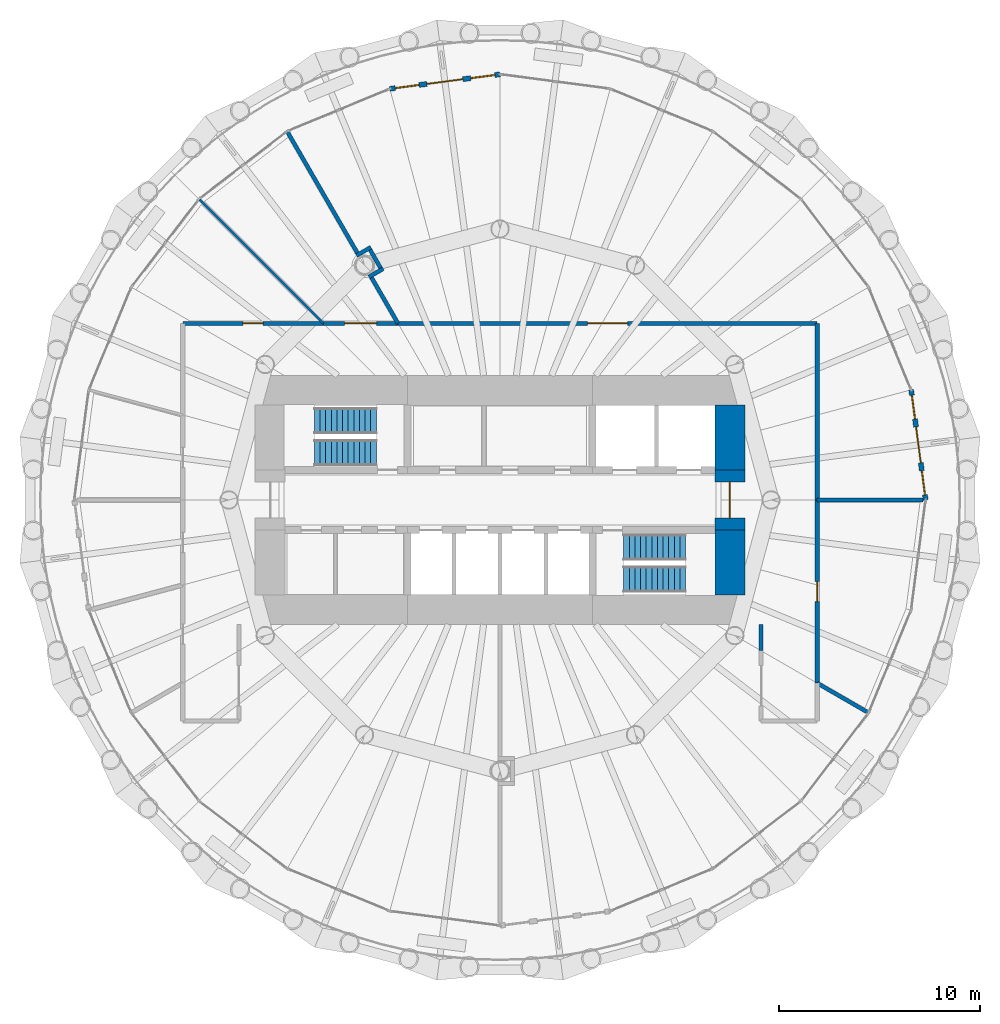
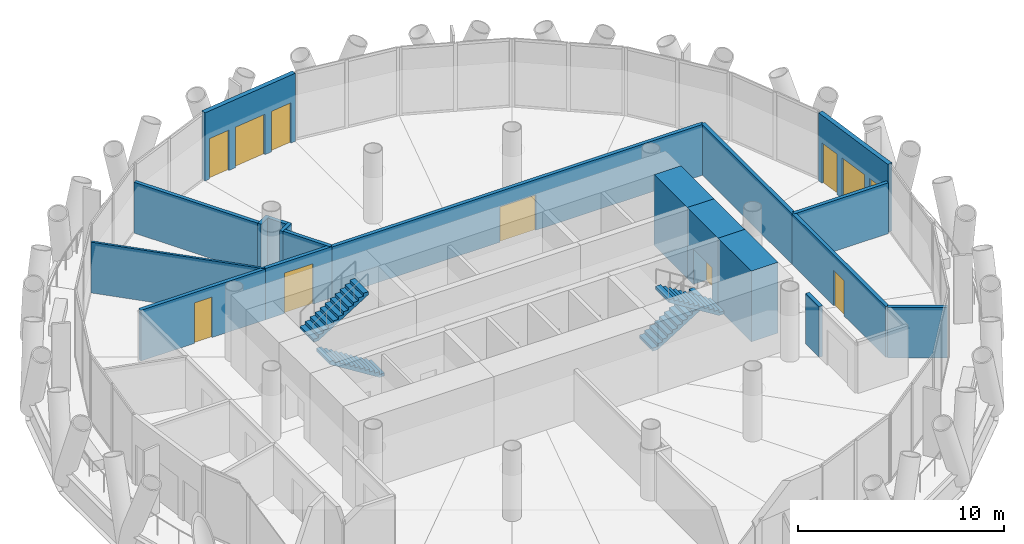
# One storey, part 11 of 14: 19 walls, 7 doors, 4 stair flights, 4 windows, 11 openings, 2 elements without a shape of their own.
"""IFC4 building model written with IfcOpenShell, lengths in metres."""

from ifc_helpers import new_model, si_unit, direction, frame, frame_2d, origin, place, context, subcontext, project, spatial, polyline, rectangle, outline, extrude, material, layer, layer_set, type_object, element, fill, aggregate, save


model = new_model("IFC4")

# Units and contexts
model_context = context("Model", 3, precision=1e-05, world=origin(), true_north=direction((0.0, 1.0)))
body_context = subcontext(model_context, "Body", "Model", "MODEL_VIEW")
ifc_project = project(units=[si_unit("LENGTHUNIT", "METRE"), si_unit("AREAUNIT", "SQUARE_METRE"), si_unit("VOLUMEUNIT", "CUBIC_METRE"), si_unit("PLANEANGLEUNIT", "RADIAN"), si_unit("MASSUNIT", "GRAM", prefix="KILO")], contexts=[model_context])

# Site, building, storey
site_placement = place(None, origin())
site = spatial("IfcSite", under=ifc_project, at=site_placement, CompositionType="ELEMENT")
building_placement = place(site_placement, origin())
building = spatial("IfcBuilding", under=site, at=building_placement, Name="Qaws Media Tower", CompositionType="ELEMENT")
storey_placement = place(building_placement, frame((0.0, 0.0, 202.39990234375)))
storey = spatial("IfcBuildingStorey", under=building, at=storey_placement, Name="L46", CompositionType="ELEMENT", Elevation=202.39990234375)

# Wall, openings, door, windows
ifc_material_1 = material(Name="Precast concrete, exposed finish", Category="concrete")
ifc_layer_1 = layer(ifc_material_1, 0.25)
ifc_layer_set_1 = layer_set([ifc_layer_1], Name="Balcony door wall 250")
wall_type_1 = type_object("IfcWallType", Name="Balcony door wall 250", PredefinedType="SOLIDWALL", material=ifc_layer_set_1)
wall_1_placement = place(storey_placement, frame((81.199951171875, 50.0, 0.0), z_axis=(0.0, 0.0, 1.0), x_axis=(-0.130530967061, 0.991444232742, 0.0)))
wall_1 = element("IfcWall", 1, at=wall_1_placement, inside=storey, type_object=wall_type_1, Name="W116 EW1 balcony door wall L46-01", PredefinedType="SOLIDWALL", context=body_context, shape_type="SweptSolid", body=[
    extrude(rectangle(XDim=5.534423828125, YDim=0.25, at=frame_2d((2.76708984375, 0.0))), origin(), (0.0, 0.0, 1.0), 4.0400390625),
])
opening_1_placement = place(wall_1_placement, frame((1.8671875, 0.0, 0.0)))
opening_1 = element("IfcOpeningElement", 2, at=opening_1_placement, cuts=wall_1, Name="Opening D7", PredefinedType="OPENING", context=body_context, shape_type="SweptSolid", body=[
    extrude(rectangle(XDim=1.800048828125, YDim=2.39990234375, at=frame_2d((0.89990234375, 1.199951171875))), frame((0.0, 0.135009765625, 0.0), z_axis=(0.0, -1.0, 0.0), x_axis=(1.0, 0.0, 0.0)), (0.0, 0.0, 1.0), 0.27001953125),
])
opening_2_placement = place(wall_1_placement, frame((0.26708984375, 0.0, 0.0)))
opening_2 = element("IfcOpeningElement", 3, at=opening_2_placement, cuts=wall_1, Name="Opening W1", PredefinedType="OPENING", context=body_context, shape_type="SweptSolid", body=[
    extrude(rectangle(XDim=1.199951171875, YDim=2.39990234375, at=frame_2d((0.60009765625, 1.199951171875))), frame((0.0, 0.135009765625, 0.0), z_axis=(0.0, -1.0, 0.0), x_axis=(1.0, 0.0, 0.0)), (0.0, 0.0, 1.0), 0.27001953125),
])
opening_3_placement = place(wall_1_placement, frame((4.067138671875, 0.0, 0.0)))
opening_3 = element("IfcOpeningElement", 4, at=opening_3_placement, cuts=wall_1, Name="Opening W1", PredefinedType="OPENING", context=body_context, shape_type="SweptSolid", body=[
    extrude(rectangle(XDim=1.199951171875, YDim=2.39990234375, at=frame_2d((0.60009765625, 1.199951171875))), frame((0.0, 0.135009765625, 0.0), z_axis=(0.0, -1.0, 0.0), x_axis=(1.0, 0.0, 0.0)), (0.0, 0.0, 1.0), 0.27001953125),
])
ifc_material_2 = material(Name="Aluminium and clear glass", Category="aluminium")
door_type_1 = type_object("IfcDoorType", Name="Balcony door pair 1800", OperationType="DOUBLE_DOOR_SLIDING", PredefinedType="DOOR", material=ifc_material_2)
door_1_placement = place(opening_1_placement, origin())
door_1 = element("IfcDoor", 5, at=door_1_placement, inside=storey, type_object=door_type_1, Name="D7 balcony door L46-01 in wall W116", OperationType="DOUBLE_DOOR_SLIDING", OverallHeight=2.39990234375, OverallWidth=1.800048828125, PredefinedType="DOOR", context=body_context, shape_type="SweptSolid", body=[
    extrude(rectangle(XDim=1.800048828125, YDim=2.39990234375, at=frame_2d((0.89990234375, 1.199951171875))), frame((0.0, 0.02490234375, 0.0), z_axis=(0.0, -1.0, 0.0), x_axis=(1.0, 0.0, 0.0)), (0.0, 0.0, 1.0), 0.050048828125),
])
fill(opening_1, door_1)
ifc_material_3 = material(Name="Aluminium and clear glass", Category="aluminium")
window_type = type_object("IfcWindowType", Name="Balcony side window 1200", PartitioningType="SINGLE_PANEL", PredefinedType="WINDOW", material=ifc_material_3)
window_1_placement = place(opening_2_placement, origin())
window_1 = element("IfcWindow", 6, at=window_1_placement, inside=storey, type_object=window_type, Name="W1 balcony side light L46-01L", OverallHeight=2.39990234375, OverallWidth=1.199951171875, PartitioningType="SINGLE_PANEL", PredefinedType="WINDOW", context=body_context, shape_type="SweptSolid", body=[
    extrude(rectangle(XDim=1.199951171875, YDim=2.39990234375, at=frame_2d((0.60009765625, 1.199951171875))), frame((0.0, 0.030029296875, 0.0), z_axis=(0.0, -1.0, 0.0), x_axis=(1.0, 0.0, 0.0)), (0.0, 0.0, 1.0), 0.06005859375),
])
fill(opening_2, window_1)
window_2_placement = place(opening_3_placement, origin())
window_2 = element("IfcWindow", 7, at=window_2_placement, inside=storey, type_object=window_type, Name="W1 balcony side light L46-01R", OverallHeight=2.39990234375, OverallWidth=1.199951171875, PartitioningType="SINGLE_PANEL", PredefinedType="WINDOW", context=body_context, shape_type="SweptSolid", body=[
    extrude(rectangle(XDim=1.199951171875, YDim=2.39990234375, at=frame_2d((0.60009765625, 1.199951171875))), frame((0.0, 0.030029296875, 0.0), z_axis=(0.0, -1.0, 0.0), x_axis=(1.0, 0.0, 0.0)), (0.0, 0.0, 1.0), 0.06005859375),
])
fill(opening_3, window_2)

wall_2_placement = place(storey_placement, frame((60.0, 71.199951171875, 0.0), z_axis=(0.0, 0.0, 1.0), x_axis=(-0.991444232742, -0.130530967061, 0.0)))
wall_2 = element("IfcWall", 8, at=wall_2_placement, inside=storey, type_object=wall_type_1, Name="W115 EW1 balcony door wall L46-07", PredefinedType="SOLIDWALL", context=body_context, shape_type="SweptSolid", body=[
    extrude(rectangle(XDim=5.534423828125, YDim=0.25, at=frame_2d((2.76708984375, 0.0))), origin(), (0.0, 0.0, 1.0), 4.0400390625),
])
opening_4_placement = place(wall_2_placement, frame((1.8671875, 0.0, 0.0)))
opening_4 = element("IfcOpeningElement", 9, at=opening_4_placement, cuts=wall_2, Name="Opening D7", PredefinedType="OPENING", context=body_context, shape_type="SweptSolid", body=[
    extrude(rectangle(XDim=1.800048828125, YDim=2.39990234375, at=frame_2d((0.89990234375, 1.199951171875))), frame((0.0, 0.135009765625, 0.0), z_axis=(0.0, -1.0, 0.0), x_axis=(1.0, 0.0, 0.0)), (0.0, 0.0, 1.0), 0.27001953125),
])
opening_5_placement = place(wall_2_placement, frame((0.26708984375, 0.0, 0.0)))
opening_5 = element("IfcOpeningElement", 10, at=opening_5_placement, cuts=wall_2, Name="Opening W1", PredefinedType="OPENING", context=body_context, shape_type="SweptSolid", body=[
    extrude(rectangle(XDim=1.199951171875, YDim=2.39990234375, at=frame_2d((0.60009765625, 1.199951171875))), frame((0.0, 0.135009765625, 0.0), z_axis=(0.0, -1.0, 0.0), x_axis=(1.0, 0.0, 0.0)), (0.0, 0.0, 1.0), 0.27001953125),
])
opening_6_placement = place(wall_2_placement, frame((4.067138671875, 0.0, 0.0)))
opening_6 = element("IfcOpeningElement", 11, at=opening_6_placement, cuts=wall_2, Name="Opening W1", PredefinedType="OPENING", context=body_context, shape_type="SweptSolid", body=[
    extrude(rectangle(XDim=1.199951171875, YDim=2.39990234375, at=frame_2d((0.60009765625, 1.199951171875))), frame((0.0, 0.135009765625, 0.0), z_axis=(0.0, -1.0, 0.0), x_axis=(1.0, 0.0, 0.0)), (0.0, 0.0, 1.0), 0.27001953125),
])
door_2_placement = place(opening_4_placement, origin())
door_2 = element("IfcDoor", 12, at=door_2_placement, inside=storey, type_object=door_type_1, Name="D7 balcony door L46-07 in wall W115", OperationType="DOUBLE_DOOR_SLIDING", OverallHeight=2.39990234375, OverallWidth=1.800048828125, PredefinedType="DOOR", context=body_context, shape_type="SweptSolid", body=[
    extrude(rectangle(XDim=1.800048828125, YDim=2.39990234375, at=frame_2d((0.89990234375, 1.199951171875))), frame((0.0, 0.02490234375, 0.0), z_axis=(0.0, -1.0, 0.0), x_axis=(1.0, 0.0, 0.0)), (0.0, 0.0, 1.0), 0.050048828125),
])
fill(opening_4, door_2)
window_3_placement = place(opening_5_placement, origin())
window_3 = element("IfcWindow", 13, at=window_3_placement, inside=storey, type_object=window_type, Name="W1 balcony side light L46-07L", OverallHeight=2.39990234375, OverallWidth=1.199951171875, PartitioningType="SINGLE_PANEL", PredefinedType="WINDOW", context=body_context, shape_type="SweptSolid", body=[
    extrude(rectangle(XDim=1.199951171875, YDim=2.39990234375, at=frame_2d((0.60009765625, 1.199951171875))), frame((0.0, 0.030029296875, 0.0), z_axis=(0.0, -1.0, 0.0), x_axis=(1.0, 0.0, 0.0)), (0.0, 0.0, 1.0), 0.06005859375),
])
fill(opening_5, window_3)
window_4_placement = place(opening_6_placement, origin())
window_4 = element("IfcWindow", 14, at=window_4_placement, inside=storey, type_object=window_type, Name="W1 balcony side light L46-07R", OverallHeight=2.39990234375, OverallWidth=1.199951171875, PartitioningType="SINGLE_PANEL", PredefinedType="WINDOW", context=body_context, shape_type="SweptSolid", body=[
    extrude(rectangle(XDim=1.199951171875, YDim=2.39990234375, at=frame_2d((0.60009765625, 1.199951171875))), frame((0.0, 0.030029296875, 0.0), z_axis=(0.0, -1.0, 0.0), x_axis=(1.0, 0.0, 0.0)), (0.0, 0.0, 1.0), 0.06005859375),
])
fill(opening_6, window_4)

# Wall
ifc_material_4 = material(Name="Concrete C60/75", Category="concrete")
ifc_layer_2 = layer(ifc_material_4, 1.5)
ifc_layer_set_2 = layer_set([ifc_layer_2], Name="Core wall 1500")
wall_type_2 = type_object("IfcWallType", Name="Core wall 1500", PredefinedType="SHEAR", material=ifc_layer_set_2)
wall_3_placement = place(storey_placement, frame((71.449951171875, 45.280029296875, 0.0), z_axis=(0.0, 0.0, 1.0), x_axis=(0.0, 1.0, 0.0)))
element("IfcWall", 15, at=wall_3_placement, inside=storey, type_object=wall_type_2, Name="W383 SW13 core wall ES L46", PredefinedType="SHEAR", context=body_context, shape_type="SweptSolid", body=[
    extrude(rectangle(XDim=3.219970703125, YDim=1.5, at=frame_2d((1.60986328125, 0.0))), origin(), (0.0, 0.0, 1.0), 4.2001953125),
])

# Wall, opening, door
wall_4_placement = place(storey_placement, frame((71.449951171875, 48.5, 0.0), z_axis=(0.0, 0.0, 1.0), x_axis=(0.0, 1.0, 0.0)))
wall_4 = element("IfcWall", 16, at=wall_4_placement, inside=storey, type_object=wall_type_2, Name="W384 SW13 core wall E L46", PredefinedType="SHEAR", context=body_context, shape_type="SweptSolid", body=[
    extrude(rectangle(XDim=3.0, YDim=1.5, at=frame_2d((1.5, 0.0))), origin(), (0.0, 0.0, 1.0), 4.2001953125),
])
opening_7_placement = place(wall_4_placement, frame((0.60009765625, 0.0, 0.0)))
opening_7 = element("IfcOpeningElement", 17, at=opening_7_placement, cuts=wall_4, Name="Opening D2", PredefinedType="OPENING", context=body_context, shape_type="SweptSolid", body=[
    extrude(rectangle(XDim=1.800048828125, YDim=2.10009765625, at=frame_2d((0.89990234375, 1.050048828125))), frame((0.0, 0.760009765625, 0.0), z_axis=(0.0, -1.0, 0.0), x_axis=(1.0, 0.0, 0.0)), (0.0, 0.0, 1.0), 1.52001953125),
])
ifc_material_5 = material(Name="Steel and glass, fire rated", Category="steel")
door_type_2 = type_object("IfcDoorType", Name="Lobby door pair 1800 FD60", OperationType="DOUBLE_DOOR_DOUBLE_SWING", PredefinedType="DOOR", material=ifc_material_5)
door_3_placement = place(opening_7_placement, origin())
door_3 = element("IfcDoor", 18, at=door_3_placement, inside=storey, type_object=door_type_2, Name="D2 core lobby door E L46 in wall W384", OperationType="DOUBLE_DOOR_DOUBLE_SWING", OverallHeight=2.10009765625, OverallWidth=1.800048828125, PredefinedType="DOOR", context=body_context, shape_type="SweptSolid", body=[
    extrude(rectangle(XDim=1.800048828125, YDim=2.10009765625, at=frame_2d((0.89990234375, 1.050048828125))), frame((0.0, 0.02490234375, 0.0), z_axis=(0.0, -1.0, 0.0), x_axis=(1.0, 0.0, 0.0)), (0.0, 0.0, 1.0), 0.050048828125),
])
fill(opening_7, door_3)

# Walls
wall_5_placement = place(storey_placement, frame((71.449951171875, 51.5, 0.0), z_axis=(0.0, 0.0, 1.0), x_axis=(0.0, 1.0, 0.0)))
element("IfcWall", 19, at=wall_5_placement, inside=storey, type_object=wall_type_2, Name="W385 SW13 core wall EN L46", PredefinedType="SHEAR", context=body_context, shape_type="SweptSolid", body=[
    extrude(rectangle(XDim=3.219970703125, YDim=1.5, at=frame_2d((1.60986328125, 0.0))), origin(), (0.0, 0.0, 1.0), 4.2001953125),
])
ifc_material_6 = material(Name="Two layers gypsum board each side on 75 studs, insulated", Category="gypsum")
ifc_layer_3 = layer(ifc_material_6, 0.125)
ifc_layer_set_3 = layer_set([ifc_layer_3], Name="Meeting room partition 125 Rw 48")
wall_type_3 = type_object("IfcWallType", Name="Meeting room partition 125 Rw 48", PredefinedType="PARTITIONING", material=ifc_layer_set_3)
wall_6_placement = place(storey_placement, frame((51.20361328125, 58.79638671875, 0.0), z_axis=(0.0, 0.0, 1.0), x_axis=(-0.707106781187, 0.707106781187, 0.0)))
element("IfcWall", 20, at=wall_6_placement, inside=storey, type_object=wall_type_3, Name="W596 IW5 partition L46", PredefinedType="PARTITIONING", context=body_context, shape_type="SweptSolid", body=[
    extrude(rectangle(XDim=8.719970703125, YDim=0.125, at=frame_2d((4.35986328125, 0.0))), origin(), (0.0, 0.0, 1.0), 3.01220703125),
])

# Wall, opening, door
ifc_material_7 = material(Name="Gypsum board on galvanised metal studs, acoustic double stud, deflection head", Category="gypsum")
ifc_layer_4 = layer(ifc_material_7, 0.199951171875)
ifc_layer_set_4 = layer_set([ifc_layer_4], Name="Room partition 200")
wall_type_4 = type_object("IfcWallType", Name="Room partition 200", PredefinedType="PARTITIONING", material=ifc_layer_set_4)
wall_7_placement = place(storey_placement, frame((44.199951171875, 58.800048828125, 0.0), z_axis=(0.0, 0.0, 1.0), x_axis=(1.0, 0.0, 0.0)))
wall_7 = element("IfcWall", 21, at=wall_7_placement, inside=storey, type_object=wall_type_4, Name="W1526 IW3 partition L46", PredefinedType="PARTITIONING", context=body_context, shape_type="SweptSolid", body=[
    extrude(rectangle(XDim=7.0, YDim=0.199951171875, at=frame_2d((3.5, 0.0))), origin(), (0.0, 0.0, 1.0), 3.01220703125),
])
opening_8_placement = place(wall_7_placement, frame((3.0, 0.0, 0.0)))
opening_8 = element("IfcOpeningElement", 22, at=opening_8_placement, cuts=wall_7, Name="Opening D13", PredefinedType="OPENING", context=body_context, shape_type="SweptSolid", body=[
    extrude(rectangle(XDim=1.0, YDim=2.39990234375, at=frame_2d((0.5, 1.199951171875))), frame((0.0, 0.10986328125, 0.0), z_axis=(0.0, -1.0, 0.0), x_axis=(1.0, 0.0, 0.0)), (0.0, 0.0, 1.0), 0.219970703125),
])
ifc_material_8 = material(Name="Frameless toughened glass, acoustic seals", Category="glass")
door_type_3 = type_object("IfcDoorType", Name="Glazed meeting room door 1000x2400", OperationType="SINGLE_SWING_LEFT", PredefinedType="DOOR", material=ifc_material_8)
door_4_placement = place(opening_8_placement, origin())
door_4 = element("IfcDoor", 23, at=door_4_placement, inside=storey, type_object=door_type_3, Name="D13 Meeting room door L46 in wall W1526", OperationType="SINGLE_SWING_LEFT", OverallHeight=2.39990234375, OverallWidth=1.0, PredefinedType="DOOR", context=body_context, shape_type="SweptSolid", body=[
    extrude(rectangle(XDim=1.0, YDim=2.39990234375, at=frame_2d((0.5, 1.199951171875))), frame((0.0, 0.02490234375, 0.0), z_axis=(0.0, -1.0, 0.0), x_axis=(1.0, 0.0, 0.0)), (0.0, 0.0, 1.0), 0.050048828125),
])
fill(opening_8, door_4)

wall_8_placement = place(storey_placement, frame((51.199951171875, 58.800048828125, 0.0), z_axis=(0.0, 0.0, 1.0), x_axis=(1.0, 0.0, 0.0)))
wall_8 = element("IfcWall", 24, at=wall_8_placement, inside=storey, type_object=wall_type_4, Name="W1529 IW3 partition L46", PredefinedType="PARTITIONING", context=body_context, shape_type="SweptSolid", body=[
    extrude(rectangle(XDim=3.71923828125, YDim=0.199951171875, at=frame_2d((1.859619140625, 0.0))), origin(), (0.0, 0.0, 1.0), 3.0400390625),
])
opening_9_placement = place(wall_8_placement, frame((1.059814453125, 0.0, 0.0)))
opening_9 = element("IfcOpeningElement", 25, at=opening_9_placement, cuts=wall_8, Name="Opening D16", PredefinedType="OPENING", context=body_context, shape_type="SweptSolid", body=[
    extrude(rectangle(XDim=1.60009765625, YDim=2.39990234375, at=frame_2d((0.800048828125, 1.199951171875))), frame((0.0, 0.10986328125, 0.0), z_axis=(0.0, -1.0, 0.0), x_axis=(1.0, 0.0, 0.0)), (0.0, 0.0, 1.0), 0.219970703125),
])
ifc_material_9 = material(Name="Glazed aluminium, fire rated", Category="aluminium")
door_type_4 = type_object("IfcDoorType", Name="Tenant entrance door pair 1600x2400", OperationType="DOUBLE_DOOR_DOUBLE_SWING", PredefinedType="DOOR", material=ifc_material_9)
door_5_placement = place(opening_9_placement, origin())
door_5 = element("IfcDoor", 26, at=door_5_placement, inside=storey, type_object=door_type_4, Name="D16 Tenant reception door L46 in wall W1529", OperationType="DOUBLE_DOOR_DOUBLE_SWING", OverallHeight=2.39990234375, OverallWidth=1.60009765625, PredefinedType="DOOR", context=body_context, shape_type="SweptSolid", body=[
    extrude(rectangle(XDim=1.60009765625, YDim=2.39990234375, at=frame_2d((0.800048828125, 1.199951171875))), frame((0.0, 0.02490234375, 0.0), z_axis=(0.0, -1.0, 0.0), x_axis=(1.0, 0.0, 0.0)), (0.0, 0.0, 1.0), 0.050048828125),
])
fill(opening_9, door_5)

wall_9_placement = place(storey_placement, frame((54.919189453125, 58.800048828125, 0.0), z_axis=(0.0, 0.0, 1.0), x_axis=(1.0, 0.0, 0.0)))
wall_9 = element("IfcWall", 27, at=wall_9_placement, inside=storey, type_object=wall_type_4, Name="W1534 IW3 partition L46", PredefinedType="PARTITIONING", context=body_context, shape_type="SweptSolid", body=[
    extrude(rectangle(XDim=20.880859375, YDim=0.199951171875, at=frame_2d((10.4404296875, 0.0))), origin(), (0.0, 0.0, 1.0), 3.01220703125),
])
opening_10_placement = place(wall_9_placement, frame((9.440185546875, 0.0, 0.0)))
opening_10 = element("IfcOpeningElement", 28, at=opening_10_placement, cuts=wall_9, Name="Opening D6", PredefinedType="OPENING", context=body_context, shape_type="SweptSolid", body=[
    extrude(rectangle(XDim=2.0, YDim=2.10009765625, at=frame_2d((1.0, 1.050048828125))), frame((0.0, 0.10986328125, 0.0), z_axis=(0.0, -1.0, 0.0), x_axis=(1.0, 0.0, 0.0)), (0.0, 0.0, 1.0), 0.219970703125),
])
ifc_material_10 = material(Name="Steel, acoustic, fire rated", Category="steel")
door_type_5 = type_object("IfcDoorType", Name="Room door pair 2000", OperationType="DOUBLE_DOOR_DOUBLE_SWING", PredefinedType="DOOR", material=ifc_material_10)
door_6_placement = place(opening_10_placement, origin())
door_6 = element("IfcDoor", 29, at=door_6_placement, inside=storey, type_object=door_type_5, Name="D6 Tenant studio office door L46 in wall W1534", OperationType="DOUBLE_DOOR_DOUBLE_SWING", OverallHeight=2.10009765625, OverallWidth=2.0, PredefinedType="DOOR", context=body_context, shape_type="SweptSolid", body=[
    extrude(rectangle(XDim=2.0, YDim=2.10009765625, at=frame_2d((1.0, 1.050048828125))), frame((0.0, 0.02490234375, 0.0), z_axis=(0.0, -1.0, 0.0), x_axis=(1.0, 0.0, 0.0)), (0.0, 0.0, 1.0), 0.050048828125),
])
fill(opening_10, door_6)

# Wall
wall_10_placement = place(storey_placement, frame((75.800048828125, 58.800048828125, 0.0), z_axis=(0.0, 0.0, 1.0), x_axis=(0.0, -1.0, 0.0)))
element("IfcWall", 30, at=wall_10_placement, inside=storey, type_object=wall_type_4, Name="W1545 IW3 partition L46", PredefinedType="PARTITIONING", context=body_context, shape_type="SweptSolid", body=[
    extrude(rectangle(XDim=8.800048828125, YDim=0.199951171875, at=frame_2d((4.39990234375, 0.0))), origin(), (0.0, 0.0, 1.0), 3.01220703125),
])

# Wall, opening, door
wall_11_placement = place(storey_placement, frame((75.800048828125, 50.0, 0.0), z_axis=(0.0, 0.0, 1.0), x_axis=(0.0, -1.0, 0.0)))
wall_11 = element("IfcWall", 31, at=wall_11_placement, inside=storey, type_object=wall_type_4, Name="W1375 IW3 partition L46", PredefinedType="PARTITIONING", context=body_context, shape_type="SweptSolid", body=[
    extrude(rectangle(XDim=9.1220703125, YDim=0.199951171875, at=frame_2d((4.56103515625, 0.0))), origin(), (0.0, 0.0, 1.0), 3.01220703125),
])
opening_11_placement = place(wall_11_placement, frame((4.06103515625, 0.0, 0.0)))
opening_11 = element("IfcOpeningElement", 32, at=opening_11_placement, cuts=wall_11, Name="Opening D5", PredefinedType="OPENING", context=body_context, shape_type="SweptSolid", body=[
    extrude(rectangle(XDim=1.0, YDim=2.10009765625, at=frame_2d((0.5, 1.050048828125))), frame((0.0, 0.10986328125, 0.0), z_axis=(0.0, -1.0, 0.0), x_axis=(1.0, 0.0, 0.0)), (0.0, 0.0, 1.0), 0.219970703125),
])
ifc_material_11 = material(Name="Timber veneered, acoustic seal", Category="wood")
door_type_6 = type_object("IfcDoorType", Name="Room door 1000", OperationType="SINGLE_SWING_LEFT", PredefinedType="DOOR", material=ifc_material_11)
door_7_placement = place(opening_11_placement, origin())
door_7 = element("IfcDoor", 33, at=door_7_placement, inside=storey, type_object=door_type_6, Name="D5 Tenant studio office door L46 in wall W1375", OperationType="SINGLE_SWING_LEFT", OverallHeight=2.10009765625, OverallWidth=1.0, PredefinedType="DOOR", context=body_context, shape_type="SweptSolid", body=[
    extrude(rectangle(XDim=1.0, YDim=2.10009765625, at=frame_2d((0.5, 1.050048828125))), frame((0.0, 0.02490234375, 0.0), z_axis=(0.0, -1.0, 0.0), x_axis=(1.0, 0.0, 0.0)), (0.0, 0.0, 1.0), 0.050048828125),
])
fill(opening_11, door_7)

# Walls
wall_12_placement = place(storey_placement, frame((73.0, 42.494384765625, 0.0), z_axis=(0.0, 0.0, 1.0), x_axis=(0.0, 1.0, 0.0)))
element("IfcWall", 34, at=wall_12_placement, inside=storey, type_object=wall_type_4, Name="W1542 IW3 partition L46", PredefinedType="PARTITIONING", context=body_context, shape_type="SweptSolid", body=[
    extrude(rectangle(XDim=1.3056640625, YDim=0.199951171875, at=frame_2d((0.65283203125, 0.0))), origin(), (0.0, 0.0, 1.0), 3.01220703125),
])
wall_13_placement = place(storey_placement, frame((75.800048828125, 50.0, 0.0), z_axis=(0.0, 0.0, 1.0), x_axis=(1.0, 0.0, 0.0)))
element("IfcWall", 35, at=wall_13_placement, inside=storey, type_object=wall_type_4, Name="W1544 IW3 partition L46", PredefinedType="PARTITIONING", context=body_context, shape_type="SweptSolid", body=[
    extrude(rectangle(XDim=5.260009765625, YDim=0.199951171875, at=frame_2d((2.6298828125, 0.0))), origin(), (0.0, 0.0, 1.0), 3.01220703125),
])
for number, where, z_axis, x_axis, name in (
    (36, (53.471923828125, 61.10693359375, 0.0), (0.0, 0.0, 1.0), (0.865944638795, 0.50013986298, 0.0), "W1532 IW3 partition return L46"),
    (37, (52.85498046875, 62.17578125, 0.0), (0.0, 0.0, 1.0), (0.866072496716, 0.499918423778, 0.0), "W1530 IW3 partition return L46"),
):
    element("IfcWall", number, at=place(storey_placement, frame(where, z_axis=z_axis, x_axis=x_axis)), inside=storey, type_object=wall_type_4, Name=name, PredefinedType="PARTITIONING", context=body_context, shape_type="SweptSolid", body=[
        extrude(rectangle(XDim=0.826904296875, YDim=0.199951171875, at=frame_2d((0.41357421875, 0.0))), origin(), (0.0, 0.0, 1.0), 3.01220703125),
    ])
wall_14_placement = place(storey_placement, frame((54.051513671875, 61.55712890625, 0.0), z_axis=(0.0, 0.0, 1.0), x_axis=(-0.500049439734, 0.865996857859, 0.0)))
element("IfcWall", 38, at=wall_14_placement, inside=storey, type_object=wall_type_4, Name="W1533 IW3 partition return L46", PredefinedType="PARTITIONING", context=body_context, shape_type="SweptSolid", body=[
    extrude(rectangle(XDim=1.0341796875, YDim=0.199951171875, at=frame_2d((0.51708984375, 0.0))), origin(), (0.0, 0.0, 1.0), 3.01220703125),
])
wall_15_placement = place(storey_placement, frame((54.919921875, 58.798828125, 0.0), z_axis=(0.0, 0.0, 1.0), x_axis=(-0.500023253097, 0.866011978186, 0.0)))
element("IfcWall", 39, at=wall_15_placement, inside=storey, type_object=wall_type_4, Name="W1535 IW3 partition L46", PredefinedType="PARTITIONING", context=body_context, shape_type="SweptSolid", body=[
    extrude(rectangle(XDim=2.623046875, YDim=0.199951171875, at=frame_2d((1.3115234375, 0.0))), origin(), (0.0, 0.0, 1.0), 3.0400390625),
])
wall_16_placement = place(storey_placement, frame((52.8916015625, 62.312255859375, 0.0), z_axis=(0.0, 0.0, 1.0), x_axis=(-0.500011609405, 0.866018700987, 0.0)))
element("IfcWall", 40, at=wall_16_placement, inside=storey, type_object=wall_type_4, Name="W1531 IW3 partition L46", PredefinedType="PARTITIONING", context=body_context, shape_type="SweptSolid", body=[
    extrude(rectangle(XDim=6.943115234375, YDim=0.199951171875, at=frame_2d((3.4716796875, 0.0))), origin(), (0.0, 0.0, 1.0), 3.01220703125),
])
wall_17_placement = place(storey_placement, frame((75.79638671875, 40.8798828125, 0.0), z_axis=(0.0, 0.0, 1.0), x_axis=(0.866032430508, -0.49998782916, 0.0)))
element("IfcWall", 41, at=wall_17_placement, inside=storey, type_object=wall_type_4, Name="W1543 IW3 partition L46", PredefinedType="PARTITIONING", context=body_context, shape_type="SweptSolid", body=[
    extrude(rectangle(XDim=2.919921875, YDim=0.199951171875, at=frame_2d((1.4599609375, 0.0))), origin(), (0.0, 0.0, 1.0), 3.01220703125),
])

# Stair, stair flights
ifc_material_12 = material(Name="Concrete C40/50", Category="concrete")
stair_type = type_object("IfcStairType", Name="Exit stair", PredefinedType="HALF_TURN_STAIR", material=ifc_material_12)
stair_1_placement = place(storey_placement, origin())
stair_1 = element("IfcStair", 42, at=stair_1_placement, inside=storey, type_object=stair_type, Name="S1 exit stair L46", PredefinedType="HALF_TURN_STAIR")
ifc_material_13 = material(Name="Concrete C40/50", Category="concrete")
stair_flight_type = type_object("IfcStairFlightType", Name="Stair flight 1310", PredefinedType="STRAIGHT", material=ifc_material_13)
stair_flight_1_placement = place(storey_placement, frame((53.840087890625, 52.35498046875, 0.0), z_axis=(0.0, 0.0, 1.0), x_axis=(-1.0, 0.0, 0.0)))
stair_flight_1 = element("IfcStairFlight", 43, at=stair_flight_1_placement, type_object=stair_flight_type, Name="S1 flight 1", NumberOfRisers=12, NumberOfTreads=11, PredefinedType="STRAIGHT", RiserHeight=0.175, TreadLength=0.28, context=body_context, shape_type="SweptSolid", body=[
    extrude(outline(polyline([(0.0, 0.0), (0.0, 0.175048828125), (0.280029296875, 0.175048828125), (0.280029296875, 0.35009765625), (0.56005859375, 0.35009765625), (0.56005859375, 0.52490234375), (0.840087890625, 0.52490234375), (0.840087890625, 0.699951171875), (1.1201171875, 0.699951171875), (1.1201171875, 0.875), (1.39990234375, 0.875), (1.39990234375, 1.050048828125), (1.679931640625, 1.050048828125), (1.679931640625, 1.22509765625), (1.9599609375, 1.22509765625), (1.9599609375, 1.39990234375), (2.239990234375, 1.39990234375), (2.239990234375, 1.574951171875), (2.52001953125, 1.574951171875), (2.52001953125, 1.75), (2.800048828125, 1.75), (2.800048828125, 1.925048828125), (3.080078125, 1.925048828125), (3.080078125, 2.10009765625), (3.080078125, 1.748291015625), (0.28271484375, 0.0), (0.0, 0.0)])), frame((0.0, 0.655029296875, 0.0), z_axis=(0.0, -1.0, 0.0), x_axis=(1.0, 0.0, 0.0)), (0.0, 0.0, 1.0), 1.31005859375),
])
stair_flight_2_placement = place(storey_placement, frame((50.760009765625, 53.945068359375, 2.10009765625), z_axis=(0.0, 0.0, 1.0), x_axis=(1.0, 0.0, 0.0)))
stair_flight_2 = element("IfcStairFlight", 44, at=stair_flight_2_placement, type_object=stair_flight_type, Name="S1 flight 2", NumberOfRisers=12, NumberOfTreads=11, PredefinedType="STRAIGHT", RiserHeight=0.175, TreadLength=0.28, context=body_context, shape_type="SweptSolid", body=[
    extrude(outline(polyline([(0.0, 0.0), (0.0, 0.175048828125), (0.280029296875, 0.175048828125), (0.280029296875, 0.35009765625), (0.56005859375, 0.35009765625), (0.56005859375, 0.52490234375), (0.840087890625, 0.52490234375), (0.840087890625, 0.699951171875), (1.1201171875, 0.699951171875), (1.1201171875, 0.875), (1.39990234375, 0.875), (1.39990234375, 1.050048828125), (1.679931640625, 1.050048828125), (1.679931640625, 1.22509765625), (1.9599609375, 1.22509765625), (1.9599609375, 1.39990234375), (2.239990234375, 1.39990234375), (2.239990234375, 1.574951171875), (2.52001953125, 1.574951171875), (2.52001953125, 1.75), (2.800048828125, 1.75), (2.800048828125, 1.925048828125), (3.080078125, 1.925048828125), (3.080078125, 2.10009765625), (3.080078125, 1.748291015625), (0.28271484375, 0.0), (0.0, 0.0)])), frame((0.0, 0.655029296875, 0.0), z_axis=(0.0, -1.0, 0.0), x_axis=(1.0, 0.0, 0.0)), (0.0, 0.0, 1.0), 1.31005859375),
])
aggregate(stair_1, [stair_flight_1, stair_flight_2])

stair_2_placement = place(storey_placement, origin())
stair_2 = element("IfcStair", 45, at=stair_2_placement, inside=storey, type_object=stair_type, Name="S2 exit stair L46", PredefinedType="HALF_TURN_STAIR")
stair_flight_3_placement = place(storey_placement, frame((66.159912109375, 47.64501953125, 0.0), z_axis=(0.0, 0.0, 1.0), x_axis=(1.0, 0.0, 0.0)))
stair_flight_3 = element("IfcStairFlight", 46, at=stair_flight_3_placement, type_object=stair_flight_type, Name="S2 flight 1", NumberOfRisers=12, NumberOfTreads=11, PredefinedType="STRAIGHT", RiserHeight=0.175, TreadLength=0.28, context=body_context, shape_type="SweptSolid", body=[
    extrude(outline(polyline([(0.0, 0.0), (0.0, 0.175048828125), (0.280029296875, 0.175048828125), (0.280029296875, 0.35009765625), (0.56005859375, 0.35009765625), (0.56005859375, 0.52490234375), (0.840087890625, 0.52490234375), (0.840087890625, 0.699951171875), (1.1201171875, 0.699951171875), (1.1201171875, 0.875), (1.39990234375, 0.875), (1.39990234375, 1.050048828125), (1.679931640625, 1.050048828125), (1.679931640625, 1.22509765625), (1.9599609375, 1.22509765625), (1.9599609375, 1.39990234375), (2.239990234375, 1.39990234375), (2.239990234375, 1.574951171875), (2.52001953125, 1.574951171875), (2.52001953125, 1.75), (2.800048828125, 1.75), (2.800048828125, 1.925048828125), (3.080078125, 1.925048828125), (3.080078125, 2.10009765625), (3.080078125, 1.748291015625), (0.28271484375, 0.0), (0.0, 0.0)])), frame((0.0, 0.655029296875, 0.0), z_axis=(0.0, -1.0, 0.0), x_axis=(1.0, 0.0, 0.0)), (0.0, 0.0, 1.0), 1.31005859375),
])
stair_flight_4_placement = place(storey_placement, frame((69.239990234375, 46.054931640625, 2.10009765625), z_axis=(0.0, 0.0, 1.0), x_axis=(-1.0, 0.0, 0.0)))
stair_flight_4 = element("IfcStairFlight", 47, at=stair_flight_4_placement, type_object=stair_flight_type, Name="S2 flight 2", NumberOfRisers=12, NumberOfTreads=11, PredefinedType="STRAIGHT", RiserHeight=0.175, TreadLength=0.28, context=body_context, shape_type="SweptSolid", body=[
    extrude(outline(polyline([(0.0, 0.0), (0.0, 0.175048828125), (0.280029296875, 0.175048828125), (0.280029296875, 0.35009765625), (0.56005859375, 0.35009765625), (0.56005859375, 0.52490234375), (0.840087890625, 0.52490234375), (0.840087890625, 0.699951171875), (1.1201171875, 0.699951171875), (1.1201171875, 0.875), (1.39990234375, 0.875), (1.39990234375, 1.050048828125), (1.679931640625, 1.050048828125), (1.679931640625, 1.22509765625), (1.9599609375, 1.22509765625), (1.9599609375, 1.39990234375), (2.239990234375, 1.39990234375), (2.239990234375, 1.574951171875), (2.52001953125, 1.574951171875), (2.52001953125, 1.75), (2.800048828125, 1.75), (2.800048828125, 1.925048828125), (3.080078125, 1.925048828125), (3.080078125, 2.10009765625), (3.080078125, 1.748291015625), (0.28271484375, 0.0), (0.0, 0.0)])), frame((0.0, 0.655029296875, 0.0), z_axis=(0.0, -1.0, 0.0), x_axis=(1.0, 0.0, 0.0)), (0.0, 0.0, 1.0), 1.31005859375),
])
aggregate(stair_2, [stair_flight_3, stair_flight_4])

save(model, "model.ifc")
